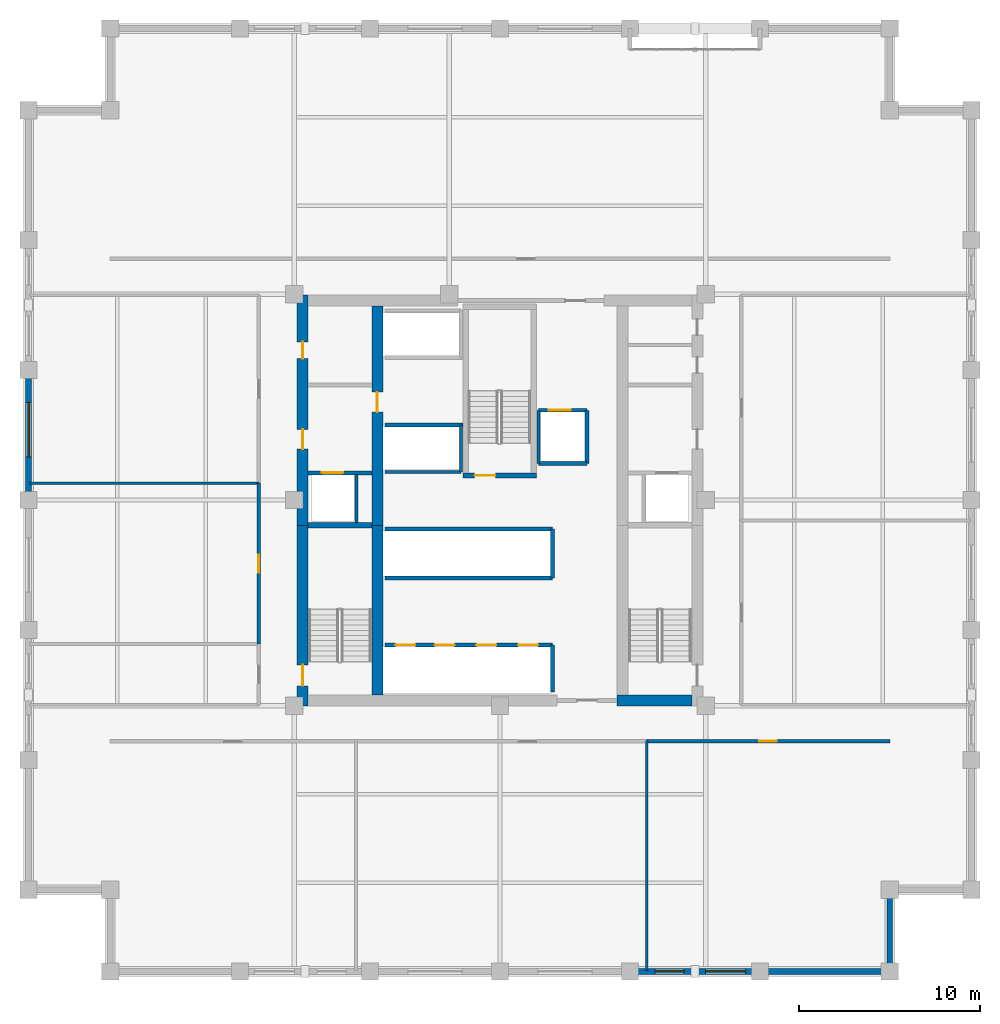
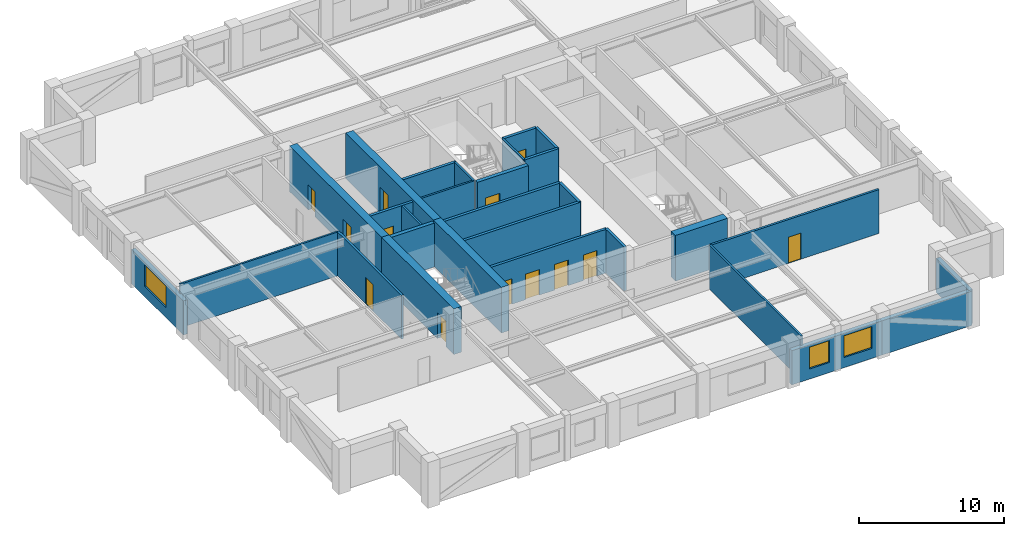
# One storey, part 4 of 8: 29 walls, 13 doors, 3 windows, 16 openings.
"""IFC4 building model written with IfcOpenShell, lengths in metres."""

from ifc_helpers import new_model, si_unit, direction, frame, frame_2d, origin, place, context, subcontext, project, spatial, rectangle, extrude, material, layer, layer_set, type_object, element, fill, save


model = new_model("IFC4")

# Units and contexts
model_context = context("Model", 3, precision=1e-05, world=origin(), true_north=direction((0.0, 1.0)))
body_context = subcontext(model_context, "Body", "Model", "MODEL_VIEW")
ifc_project = project(units=[si_unit("LENGTHUNIT", "METRE"), si_unit("AREAUNIT", "SQUARE_METRE"), si_unit("VOLUMEUNIT", "CUBIC_METRE"), si_unit("PLANEANGLEUNIT", "RADIAN"), si_unit("MASSUNIT", "GRAM", prefix="KILO")], contexts=[model_context])

# Site, building, storey
site_placement = place(None, origin())
site = spatial("IfcSite", under=ifc_project, at=site_placement, CompositionType="ELEMENT")
building_placement = place(site_placement, origin())
building = spatial("IfcBuilding", under=site, at=building_placement, Name="Nhamokura Convention Tower", CompositionType="ELEMENT")
storey_placement = place(building_placement, frame((0.0, 0.0, 137.550048828125)))
storey = spatial("IfcBuildingStorey", under=building, at=storey_placement, Name="L33", CompositionType="ELEMENT", Elevation=137.550048828125)

# Wall, openings, windows
ifc_material_1 = material(Name="Bronze-pigmented precast concrete C45/55", Category="concrete")
ifc_layer_1 = layer(ifc_material_1, 0.320068359375)
ifc_layer_set_1 = layer_set([ifc_layer_1], Name="BronzePrecastSpandrel_320")
wall_type_1 = type_object("IfcWallType", Name="BronzePrecastSpandrel_320", PredefinedType="USERDEFINED", material=ifc_layer_set_1)
wall_1_placement = place(storey_placement, frame((46.333251953125, 6.0, 0.0), z_axis=(0.0, 0.0, 1.0), x_axis=(-1.0, 0.0, 0.0)))
wall_1 = element("IfcWall", 1, at=wall_1_placement, inside=storey, type_object=wall_type_1, Name="L33 Masonry-Frame Wall SOUTH 4", ObjectType="SPANDREL_WALL", PredefinedType="USERDEFINED", context=body_context, shape_type="SweptSolid", body=[
    extrude(rectangle(XDim=7.16650390625, YDim=0.320068359375, at=frame_2d((3.583251953125, 0.0))), origin(), (0.0, 0.0, 1.0), 2.885009765625),
])
opening_1_placement = place(wall_1_placement, frame((0.791748046875, 0.0, 0.85009765625)))
opening_1 = element("IfcOpeningElement", 2, at=opening_1_placement, cuts=wall_1, Name="Opening W-06", PredefinedType="OPENING", context=body_context, shape_type="SweptSolid", body=[
    extrude(rectangle(XDim=2.199951171875, YDim=1.8349609375, at=frame_2d((1.10009765625, 0.91748046875))), frame((0.0, 0.169921875, 0.0), z_axis=(0.0, -1.0, 0.0), x_axis=(1.0, 0.0, 0.0)), (0.0, 0.0, 1.0), 0.340087890625),
])
opening_2_placement = place(wall_1_placement, frame((4.1748046875, 0.0, 0.85009765625)))
opening_2 = element("IfcOpeningElement", 3, at=opening_2_placement, cuts=wall_1, Name="Opening W-11", PredefinedType="OPENING", context=body_context, shape_type="SweptSolid", body=[
    extrude(rectangle(XDim=1.60009765625, YDim=1.8349609375, at=frame_2d((0.800048828125, 0.91748046875))), frame((0.0, 0.169921875, 0.0), z_axis=(0.0, -1.0, 0.0), x_axis=(1.0, 0.0, 0.0)), (0.0, 0.0, 1.0), 0.340087890625),
])
ifc_material_2 = material(Name="Solar-control bronze low-E double glass", Category="glass")
window_type_1 = type_object("IfcWindowType", Name="NotchCornerWindow_1600", PartitioningType="SINGLE_PANEL", PredefinedType="WINDOW", material=ifc_material_2)
window_1_placement = place(opening_2_placement, origin())
window_1 = element("IfcWindow", 4, at=window_1_placement, inside=storey, type_object=window_type_1, Name="L33 Facade Window SOUTH 4-2", OverallHeight=1.8349609375, OverallWidth=1.60009765625, PartitioningType="SINGLE_PANEL", PredefinedType="WINDOW", context=body_context, shape_type="SweptSolid", body=[
    extrude(rectangle(XDim=1.60009765625, YDim=1.8349609375, at=frame_2d((0.800048828125, 0.91748046875))), frame((0.0, 0.030029296875, 0.0), z_axis=(0.0, -1.0, 0.0), x_axis=(1.0, 0.0, 0.0)), (0.0, 0.0, 1.0), 0.06005859375),
])
fill(opening_2, window_1)
ifc_material_3 = material(Name="Solar-control bronze low-E double glass", Category="glass")
window_type_2 = type_object("IfcWindowType", Name="OfficeModuleWindow_Z2_2200", PartitioningType="SINGLE_PANEL", PredefinedType="WINDOW", material=ifc_material_3)
window_2_placement = place(opening_1_placement, origin())
window_2 = element("IfcWindow", 5, at=window_2_placement, inside=storey, type_object=window_type_2, Name="L33 Facade Window SOUTH 4-1", OverallHeight=1.8349609375, OverallWidth=2.199951171875, PartitioningType="SINGLE_PANEL", PredefinedType="WINDOW", context=body_context, shape_type="SweptSolid", body=[
    extrude(rectangle(XDim=2.199951171875, YDim=1.8349609375, at=frame_2d((1.10009765625, 0.91748046875))), frame((0.0, 0.030029296875, 0.0), z_axis=(0.0, -1.0, 0.0), x_axis=(1.0, 0.0, 0.0)), (0.0, 0.0, 1.0), 0.06005859375),
])
fill(opening_1, window_2)

# Wall
wall_2_placement = place(storey_placement, frame((53.5, 6.0, 0.0), z_axis=(0.0, 0.0, 1.0), x_axis=(-1.0, 0.0, 0.0)))
element("IfcWall", 6, at=wall_2_placement, inside=storey, type_object=wall_type_1, Name="L33 Braced-Bay Precast Wall SOUTH 5", ObjectType="SPANDREL_WALL", PredefinedType="USERDEFINED", context=body_context, shape_type="SweptSolid", body=[
    extrude(rectangle(XDim=7.166748046875, YDim=0.320068359375, at=frame_2d((3.58349609375, 0.0))), origin(), (0.0, 0.0, 1.0), 2.885009765625),
])

# Wall, opening, window
wall_3_placement = place(storey_placement, frame((6.0, 32.0, 0.0), z_axis=(0.0, 0.0, 1.0), x_axis=(0.0, 1.0, 0.0)))
wall_3 = element("IfcWall", 7, at=wall_3_placement, inside=storey, type_object=wall_type_1, Name="L33 Masonry-Frame Wall WEST 3", ObjectType="SPANDREL_WALL", PredefinedType="USERDEFINED", context=body_context, shape_type="SweptSolid", body=[
    extrude(rectangle(XDim=7.166748046875, YDim=0.320068359375, at=frame_2d((3.58349609375, 0.0))), origin(), (0.0, 0.0, 1.0), 2.885009765625),
])
opening_3_placement = place(wall_3_placement, frame((2.38330078125, 0.0, 0.85009765625)))
opening_3 = element("IfcOpeningElement", 8, at=opening_3_placement, cuts=wall_3, Name="Opening W-05", PredefinedType="OPENING", context=body_context, shape_type="SweptSolid", body=[
    extrude(rectangle(XDim=3.0, YDim=1.8349609375, at=frame_2d((1.5, 0.91748046875))), frame((0.0, 0.169921875, 0.0), z_axis=(0.0, -1.0, 0.0), x_axis=(1.0, 0.0, 0.0)), (0.0, 0.0, 1.0), 0.340087890625),
])
ifc_material_4 = material(Name="Solar-control bronze low-E double glass", Category="glass")
window_type_3 = type_object("IfcWindowType", Name="OfficeModuleWindow_Z2_3000", PartitioningType="DOUBLE_PANEL_VERTICAL", PredefinedType="WINDOW", material=ifc_material_4)
window_3_placement = place(opening_3_placement, origin())
window_3 = element("IfcWindow", 9, at=window_3_placement, inside=storey, type_object=window_type_3, Name="L33 Facade Window WEST 3", OverallHeight=1.8349609375, OverallWidth=3.0, PartitioningType="SINGLE_PANEL", PredefinedType="WINDOW", context=body_context, shape_type="SweptSolid", body=[
    extrude(rectangle(XDim=3.0, YDim=1.8349609375, at=frame_2d((1.5, 0.91748046875))), frame((0.0, 0.030029296875, 0.0), z_axis=(0.0, -1.0, 0.0), x_axis=(1.0, 0.0, 0.0)), (0.0, 0.0, 1.0), 0.06005859375),
])
fill(opening_3, window_3)

# Wall
wall_4_placement = place(storey_placement, frame((53.5, 10.5, 0.0), z_axis=(0.0, 0.0, 1.0), x_axis=(0.0, -1.0, 0.0)))
element("IfcWall", 10, at=wall_4_placement, inside=storey, type_object=wall_type_1, Name="L33 Notched Corner Wall SE1", ObjectType="SPANDREL_WALL", PredefinedType="USERDEFINED", context=body_context, shape_type="SweptSolid", body=[
    extrude(rectangle(XDim=4.5, YDim=0.320068359375, at=frame_2d((2.25, 0.0))), origin(), (0.0, 0.0, 1.0), 2.885009765625),
])

# Wall, opening, door
ifc_material_5 = material(Name="Concrete C60/75", Category="concrete")
ifc_layer_2 = layer(ifc_material_5, 0.60009765625)
ifc_layer_set_2 = layer_set([ifc_layer_2], Name="CoreShearWall_600")
wall_type_2 = type_object("IfcWallType", Name="CoreShearWall_600", PredefinedType="SHEAR", material=ifc_layer_set_2)
wall_5_placement = place(storey_placement, frame((21.110107421875, 20.64990234375, 0.0), z_axis=(0.0, 0.0, 1.0), x_axis=(0.0, 1.0, 0.0)))
wall_5 = element("IfcWall", 11, at=wall_5_placement, inside=storey, type_object=wall_type_2, Name="L33 Core Shear Wall CW-WS", PredefinedType="SHEAR", context=body_context, shape_type="SweptSolid", body=[
    extrude(rectangle(XDim=9.9501953125, YDim=0.60009765625, at=frame_2d((4.97509765625, 0.0))), origin(), (0.0, 0.0, 1.0), 3.849853515625),
])
opening_4_placement = place(wall_5_placement, frame((1.10009765625, 0.0, 0.0)))
opening_4 = element("IfcOpeningElement", 12, at=opening_4_placement, cuts=wall_5, Name="Opening D-04", PredefinedType="OPENING", context=body_context, shape_type="SweptSolid", body=[
    extrude(rectangle(XDim=1.14990234375, YDim=2.14990234375, at=frame_2d((0.574951171875, 1.074951171875))), frame((0.0, 0.31005859375, 0.0), z_axis=(0.0, -1.0, 0.0), x_axis=(1.0, 0.0, 0.0)), (0.0, 0.0, 1.0), 0.6201171875),
])
ifc_material_6 = material(Name="Fire-rated steel door", Category="steel")
door_type_1 = type_object("IfcDoorType", Name="StairSmokeDoor_1150", OperationType="NOTDEFINED", PredefinedType="DOOR", material=ifc_material_6)
door_1_placement = place(opening_4_placement, origin())
door_1 = element("IfcDoor", 13, at=door_1_placement, inside=storey, type_object=door_type_1, Name="L33 Core Door INT-L33-D-ST01", OperationType="SINGLE_SWING_LEFT", OverallHeight=2.14990234375, OverallWidth=1.14990234375, PredefinedType="DOOR", context=body_context, shape_type="SweptSolid", body=[
    extrude(rectangle(XDim=1.14990234375, YDim=2.14990234375, at=frame_2d((0.574951171875, 1.074951171875))), frame((0.0, 0.02490234375, 0.0), z_axis=(0.0, -1.0, 0.0), x_axis=(1.0, 0.0, 0.0)), (0.0, 0.0, 1.0), 0.050048828125),
])
fill(opening_4, door_1)

# Wall, openings, doors
wall_6_placement = place(storey_placement, frame((21.110107421875, 30.60009765625, 0.0), z_axis=(0.0, 0.0, 1.0), x_axis=(0.0, 1.0, 0.0)))
wall_6 = element("IfcWall", 14, at=wall_6_placement, inside=storey, type_object=wall_type_2, Name="L33 Core Shear Wall CW-WN", PredefinedType="SHEAR", context=body_context, shape_type="SweptSolid", body=[
    extrude(rectangle(XDim=12.699951171875, YDim=0.60009765625, at=frame_2d((6.35009765625, 0.0))), origin(), (0.0, 0.0, 1.0), 3.849853515625),
])
opening_5_placement = place(wall_6_placement, frame((4.199951171875, 0.0, 0.0)))
opening_5 = element("IfcOpeningElement", 15, at=opening_5_placement, cuts=wall_6, Name="Opening D-05", PredefinedType="OPENING", context=body_context, shape_type="SweptSolid", body=[
    extrude(rectangle(XDim=1.10009765625, YDim=2.14990234375, at=frame_2d((0.550048828125, 1.074951171875))), frame((0.0, 0.31005859375, 0.0), z_axis=(0.0, -1.0, 0.0), x_axis=(1.0, 0.0, 0.0)), (0.0, 0.0, 1.0), 0.6201171875),
])
opening_6_placement = place(wall_6_placement, frame((9.199951171875, 0.0, 0.0)))
opening_6 = element("IfcOpeningElement", 16, at=opening_6_placement, cuts=wall_6, Name="Opening D-10", PredefinedType="OPENING", context=body_context, shape_type="SweptSolid", body=[
    extrude(rectangle(XDim=0.919921875, YDim=2.10009765625, at=frame_2d((0.4599609375, 1.050048828125))), frame((0.0, 0.31005859375, 0.0), z_axis=(0.0, -1.0, 0.0), x_axis=(1.0, 0.0, 0.0)), (0.0, 0.0, 1.0), 0.6201171875),
])
ifc_material_7 = material(Name="Solid oak hardwood", Category="wood")
door_type_2 = type_object("IfcDoorType", Name="AccessibleWCDoor_920", OperationType="NOTDEFINED", PredefinedType="DOOR", material=ifc_material_7)
door_2_placement = place(opening_6_placement, origin())
door_2 = element("IfcDoor", 17, at=door_2_placement, inside=storey, type_object=door_type_2, Name="L33 Core Door INT-L33-D-AWC", OperationType="SINGLE_SWING_LEFT", OverallHeight=2.10009765625, OverallWidth=0.919921875, PredefinedType="DOOR", context=body_context, shape_type="SweptSolid", body=[
    extrude(rectangle(XDim=0.919921875, YDim=2.10009765625, at=frame_2d((0.4599609375, 1.050048828125))), frame((0.0, 0.02490234375, 0.0), z_axis=(0.0, -1.0, 0.0), x_axis=(1.0, 0.0, 0.0)), (0.0, 0.0, 1.0), 0.050048828125),
])
fill(opening_6, door_2)
ifc_material_8 = material(Name="Fire-rated steel door", Category="steel")
door_type_3 = type_object("IfcDoorType", Name="FireLobbyDoor_1100", OperationType="NOTDEFINED", PredefinedType="DOOR", material=ifc_material_8)
door_3_placement = place(opening_5_placement, origin())
door_3 = element("IfcDoor", 18, at=door_3_placement, inside=storey, type_object=door_type_3, Name="L33 Core Door INT-L33-D-FFLW", OperationType="SINGLE_SWING_RIGHT", OverallHeight=2.14990234375, OverallWidth=1.10009765625, PredefinedType="DOOR", context=body_context, shape_type="SweptSolid", body=[
    extrude(rectangle(XDim=1.10009765625, YDim=2.14990234375, at=frame_2d((0.550048828125, 1.074951171875))), frame((0.0, 0.02490234375, 0.0), z_axis=(0.0, -1.0, 0.0), x_axis=(1.0, 0.0, 0.0)), (0.0, 0.0, 1.0), 0.050048828125),
])
fill(opening_5, door_3)

# Walls
wall_7_placement = place(storey_placement, frame((38.449951171875, 20.949951171875, 0.0), z_axis=(0.0, 0.0, 1.0), x_axis=(1.0, 0.0, 0.0)))
element("IfcWall", 19, at=wall_7_placement, inside=storey, type_object=wall_type_2, Name="L33 Core Shear Wall CW-S2", PredefinedType="SHEAR", context=body_context, shape_type="SweptSolid", body=[
    extrude(rectangle(XDim=4.14013671875, YDim=0.60009765625, at=frame_2d((2.070068359375, 0.0))), origin(), (0.0, 0.0, 1.0), 3.849853515625),
])
wall_8_placement = place(storey_placement, frame((25.239990234375, 21.25, 0.0), z_axis=(0.0, 0.0, 1.0), x_axis=(0.0, 1.0, 0.0)))
element("IfcWall", 20, at=wall_8_placement, inside=storey, type_object=wall_type_2, Name="L33 Core Shear Wall CW-IWS", PredefinedType="SHEAR", context=body_context, shape_type="SweptSolid", body=[
    extrude(rectangle(XDim=9.35009765625, YDim=0.60009765625, at=frame_2d((4.675048828125, 0.0))), origin(), (0.0, 0.0, 1.0), 3.849853515625),
])

# Wall, opening, door
wall_9_placement = place(storey_placement, frame((25.239990234375, 30.60009765625, 0.0), z_axis=(0.0, 0.0, 1.0), x_axis=(0.0, 1.0, 0.0)))
wall_9 = element("IfcWall", 21, at=wall_9_placement, inside=storey, type_object=wall_type_2, Name="L33 Core Shear Wall CW-IWN", PredefinedType="SHEAR", context=body_context, shape_type="SweptSolid", body=[
    extrude(rectangle(XDim=12.099853515625, YDim=0.60009765625, at=frame_2d((6.0498046875, 0.0))), origin(), (0.0, 0.0, 1.0), 3.849853515625),
])
opening_7_placement = place(wall_9_placement, frame((6.25, 0.0, 0.0)))
opening_7 = element("IfcOpeningElement", 22, at=opening_7_placement, cuts=wall_9, Name="Opening D-05", PredefinedType="OPENING", context=body_context, shape_type="SweptSolid", body=[
    extrude(rectangle(XDim=1.10009765625, YDim=2.14990234375, at=frame_2d((0.550048828125, 1.074951171875))), frame((0.0, 0.31005859375, 0.0), z_axis=(0.0, -1.0, 0.0), x_axis=(1.0, 0.0, 0.0)), (0.0, 0.0, 1.0), 0.6201171875),
])
door_4_placement = place(opening_7_placement, origin())
door_4 = element("IfcDoor", 23, at=door_4_placement, inside=storey, type_object=door_type_3, Name="L33 Core Door INT-L33-D-B3LOB", OperationType="SINGLE_SWING_LEFT", OverallHeight=2.14990234375, OverallWidth=1.10009765625, PredefinedType="DOOR", context=body_context, shape_type="SweptSolid", body=[
    extrude(rectangle(XDim=1.10009765625, YDim=2.14990234375, at=frame_2d((0.550048828125, 1.074951171875))), frame((0.0, 0.02490234375, 0.0), z_axis=(0.0, -1.0, 0.0), x_axis=(1.0, 0.0, 0.0)), (0.0, 0.0, 1.0), 0.050048828125),
])
fill(opening_7, door_4)

ifc_material_9 = material(Name="Fire-rated gypsum and masonry partition", Category="masonry")
ifc_layer_3 = layer(ifc_material_9, 0.179931640625)
ifc_layer_set_3 = layer_set([ifc_layer_3], Name="CorridorRatedWall_180")
wall_type_3 = type_object("IfcWallType", Name="CorridorRatedWall_180", PredefinedType="STANDARD", material=ifc_layer_set_3)
wall_10_placement = place(storey_placement, frame((40.091796875, 18.699951171875, 0.0), z_axis=(0.0, 0.0, 1.0), x_axis=(1.0, 0.0, 0.0)))
wall_10 = element("IfcWall", 24, at=wall_10_placement, inside=storey, type_object=wall_type_3, Name="L33 Wall INT-L33-CW-S02", PredefinedType="STANDARD", context=body_context, shape_type="SweptSolid", body=[
    extrude(rectangle(XDim=13.408203125, YDim=0.179931640625, at=frame_2d((6.7041015625, 0.0))), origin(), (0.0, 0.0, 1.0), 3.68505859375),
])
opening_8_placement = place(wall_10_placement, frame((6.2041015625, 0.0, 0.0)))
opening_8 = element("IfcOpeningElement", 25, at=opening_8_placement, cuts=wall_10, Name="Opening D-08", PredefinedType="OPENING", context=body_context, shape_type="SweptSolid", body=[
    extrude(rectangle(XDim=0.97998046875, YDim=2.199951171875, at=frame_2d((0.489990234375, 1.10009765625))), frame((0.0, 0.099853515625, 0.0), z_axis=(0.0, -1.0, 0.0), x_axis=(1.0, 0.0, 0.0)), (0.0, 0.0, 1.0), 0.199951171875),
])
ifc_material_10 = material(Name="Solid oak hardwood", Category="wood")
door_type_4 = type_object("IfcDoorType", Name="OfficeEntryDoor_980", OperationType="NOTDEFINED", PredefinedType="DOOR", material=ifc_material_10)
door_5_placement = place(opening_8_placement, origin())
door_5 = element("IfcDoor", 26, at=door_5_placement, inside=storey, type_object=door_type_4, Name="L33 Faculty Office S03 Door", OperationType="SINGLE_SWING_LEFT", OverallHeight=2.199951171875, OverallWidth=0.97998046875, PredefinedType="DOOR", context=body_context, shape_type="SweptSolid", body=[
    extrude(rectangle(XDim=0.97998046875, YDim=2.199951171875, at=frame_2d((0.489990234375, 1.10009765625))), frame((0.0, 0.02490234375, 0.0), z_axis=(0.0, -1.0, 0.0), x_axis=(1.0, 0.0, 0.0)), (0.0, 0.0, 1.0), 0.050048828125),
])
fill(opening_8, door_5)

wall_11_placement = place(storey_placement, frame((18.699951171875, 24.058349609375, 0.0), z_axis=(0.0, 0.0, 1.0), x_axis=(0.0, 1.0, 0.0)))
wall_11 = element("IfcWall", 27, at=wall_11_placement, inside=storey, type_object=wall_type_3, Name="L33 Wall INT-L33-CW-W01", PredefinedType="STANDARD", context=body_context, shape_type="SweptSolid", body=[
    extrude(rectangle(XDim=8.86669921875, YDim=0.179931640625, at=frame_2d((4.433349609375, 0.0))), origin(), (0.0, 0.0, 1.0), 3.68505859375),
])
opening_9_placement = place(wall_11_placement, frame((3.933349609375, 0.0, 0.0)))
opening_9 = element("IfcOpeningElement", 28, at=opening_9_placement, cuts=wall_11, Name="Opening D-08", PredefinedType="OPENING", context=body_context, shape_type="SweptSolid", body=[
    extrude(rectangle(XDim=0.97998046875, YDim=2.199951171875, at=frame_2d((0.489990234375, 1.10009765625))), frame((0.0, 0.099853515625, 0.0), z_axis=(0.0, -1.0, 0.0), x_axis=(1.0, 0.0, 0.0)), (0.0, 0.0, 1.0), 0.199951171875),
])
door_6_placement = place(opening_9_placement, origin())
door_6 = element("IfcDoor", 29, at=door_6_placement, inside=storey, type_object=door_type_4, Name="L33 Meeting Room W02 Door", OperationType="SINGLE_SWING_RIGHT", OverallHeight=2.199951171875, OverallWidth=0.97998046875, PredefinedType="DOOR", context=body_context, shape_type="SweptSolid", body=[
    extrude(rectangle(XDim=0.97998046875, YDim=2.199951171875, at=frame_2d((0.489990234375, 1.10009765625))), frame((0.0, 0.02490234375, 0.0), z_axis=(0.0, -1.0, 0.0), x_axis=(1.0, 0.0, 0.0)), (0.0, 0.0, 1.0), 0.050048828125),
])
fill(opening_9, door_6)

ifc_material_11 = material(Name="Autoclaved concrete blockwork", Category="masonry")
ifc_layer_4 = layer(ifc_material_11, 0.219970703125)
ifc_layer_set_4 = layer_set([ifc_layer_4], Name="FireLobbyWall_220")
wall_type_4 = type_object("IfcWallType", Name="FireLobbyWall_220", PredefinedType="STANDARD", material=ifc_layer_set_4)
wall_12_placement = place(storey_placement, frame((21.409912109375, 33.5, 0.0), z_axis=(0.0, 0.0, 1.0), x_axis=(1.0, 0.0, 0.0)))
wall_12 = element("IfcWall", 30, at=wall_12_placement, inside=storey, type_object=wall_type_4, Name="L33 Wall INT-L33-FFW-S", PredefinedType="STANDARD", context=body_context, shape_type="SweptSolid", body=[
    extrude(rectangle(XDim=3.530029296875, YDim=0.219970703125, at=frame_2d((1.76513671875, 0.0))), origin(), (0.0, 0.0, 1.0), 3.68505859375),
])
opening_10_placement = place(wall_12_placement, frame((0.75, 0.0, 0.0)))
opening_10 = element("IfcOpeningElement", 31, at=opening_10_placement, cuts=wall_12, Name="Opening LD-02", PredefinedType="OPENING", context=body_context, shape_type="SweptSolid", body=[
    extrude(rectangle(XDim=1.199951171875, YDim=2.199951171875, at=frame_2d((0.60009765625, 1.10009765625))), frame((0.0, 0.119873046875, 0.0), z_axis=(0.0, -1.0, 0.0), x_axis=(1.0, 0.0, 0.0)), (0.0, 0.0, 1.0), 0.239990234375),
])
ifc_material_12 = material(Name="Anodised bronze stainless steel", Category="steel")
door_type_5 = type_object("IfcDoorType", Name="LiftLandingDoor_FireService", OperationType="DOUBLE_DOOR_SLIDING", PredefinedType="DOOR", material=ifc_material_12)
door_7_placement = place(opening_10_placement, origin())
door_7 = element("IfcDoor", 32, at=door_7_placement, inside=storey, type_object=door_type_5, Name="L33 Firefighting Lift LF-01 Door", OperationType="DOUBLE_DOOR_SLIDING", OverallHeight=2.199951171875, OverallWidth=1.199951171875, PredefinedType="DOOR", context=body_context, shape_type="SweptSolid", body=[
    extrude(rectangle(XDim=1.199951171875, YDim=2.199951171875, at=frame_2d((0.60009765625, 1.10009765625))), frame((0.0, 0.02490234375, 0.0), z_axis=(0.0, -1.0, 0.0), x_axis=(1.0, 0.0, 0.0)), (0.0, 0.0, 1.0), 0.050048828125),
])
fill(opening_10, door_7)

# Wall, openings, doors
wall_13_placement = place(storey_placement, frame((25.64990234375, 24.0, 0.0), z_axis=(0.0, 0.0, 1.0), x_axis=(1.0, 0.0, 0.0)))
wall_13 = element("IfcWall", 33, at=wall_13_placement, inside=storey, type_object=wall_type_4, Name="L33 Wall INT-L33-B1N", PredefinedType="STANDARD", context=body_context, shape_type="SweptSolid", body=[
    extrude(rectangle(XDim=9.25, YDim=0.219970703125, at=frame_2d((4.625, 0.0))), origin(), (0.0, 0.0, 1.0), 3.68505859375),
])
opening_11_placement = place(wall_13_placement, frame((0.580078125, 0.0, 0.0)))
opening_11 = element("IfcOpeningElement", 34, at=opening_11_placement, cuts=wall_13, Name="Opening LD-01", PredefinedType="OPENING", context=body_context, shape_type="SweptSolid", body=[
    extrude(rectangle(XDim=1.10009765625, YDim=2.14990234375, at=frame_2d((0.550048828125, 1.074951171875))), frame((0.0, 0.119873046875, 0.0), z_axis=(0.0, -1.0, 0.0), x_axis=(1.0, 0.0, 0.0)), (0.0, 0.0, 1.0), 0.239990234375),
])
opening_12_placement = place(wall_13_placement, frame((2.75, 0.0, 0.0)))
opening_12 = element("IfcOpeningElement", 35, at=opening_12_placement, cuts=wall_13, Name="Opening LD-01", PredefinedType="OPENING", context=body_context, shape_type="SweptSolid", body=[
    extrude(rectangle(XDim=1.10009765625, YDim=2.14990234375, at=frame_2d((0.550048828125, 1.074951171875))), frame((0.0, 0.119873046875, 0.0), z_axis=(0.0, -1.0, 0.0), x_axis=(1.0, 0.0, 0.0)), (0.0, 0.0, 1.0), 0.239990234375),
])
opening_13_placement = place(wall_13_placement, frame((5.050048828125, 0.0, 0.0)))
opening_13 = element("IfcOpeningElement", 36, at=opening_13_placement, cuts=wall_13, Name="Opening LD-01", PredefinedType="OPENING", context=body_context, shape_type="SweptSolid", body=[
    extrude(rectangle(XDim=1.10009765625, YDim=2.14990234375, at=frame_2d((0.550048828125, 1.074951171875))), frame((0.0, 0.119873046875, 0.0), z_axis=(0.0, -1.0, 0.0), x_axis=(1.0, 0.0, 0.0)), (0.0, 0.0, 1.0), 0.239990234375),
])
opening_14_placement = place(wall_13_placement, frame((7.35009765625, 0.0, 0.0)))
opening_14 = element("IfcOpeningElement", 37, at=opening_14_placement, cuts=wall_13, Name="Opening LD-01", PredefinedType="OPENING", context=body_context, shape_type="SweptSolid", body=[
    extrude(rectangle(XDim=1.10009765625, YDim=2.14990234375, at=frame_2d((0.550048828125, 1.074951171875))), frame((0.0, 0.119873046875, 0.0), z_axis=(0.0, -1.0, 0.0), x_axis=(1.0, 0.0, 0.0)), (0.0, 0.0, 1.0), 0.239990234375),
])
ifc_material_13 = material(Name="Anodised bronze stainless steel", Category="steel")
door_type_6 = type_object("IfcDoorType", Name="LiftLandingDoor_Passenger", OperationType="DOUBLE_DOOR_SLIDING", PredefinedType="DOOR", material=ifc_material_13)
door_8_placement = place(opening_11_placement, origin())
door_8 = element("IfcDoor", 38, at=door_8_placement, inside=storey, type_object=door_type_6, Name="L33 Lift LP-01 Landing Door", OperationType="DOUBLE_DOOR_SLIDING", OverallHeight=2.14990234375, OverallWidth=1.10009765625, PredefinedType="DOOR", context=body_context, shape_type="SweptSolid", body=[
    extrude(rectangle(XDim=1.10009765625, YDim=2.14990234375, at=frame_2d((0.550048828125, 1.074951171875))), frame((0.0, 0.02490234375, 0.0), z_axis=(0.0, -1.0, 0.0), x_axis=(1.0, 0.0, 0.0)), (0.0, 0.0, 1.0), 0.050048828125),
])
fill(opening_11, door_8)
door_9_placement = place(opening_12_placement, origin())
door_9 = element("IfcDoor", 39, at=door_9_placement, inside=storey, type_object=door_type_6, Name="L33 Lift LP-02 Landing Door", OperationType="DOUBLE_DOOR_SLIDING", OverallHeight=2.14990234375, OverallWidth=1.10009765625, PredefinedType="DOOR", context=body_context, shape_type="SweptSolid", body=[
    extrude(rectangle(XDim=1.10009765625, YDim=2.14990234375, at=frame_2d((0.550048828125, 1.074951171875))), frame((0.0, 0.02490234375, 0.0), z_axis=(0.0, -1.0, 0.0), x_axis=(1.0, 0.0, 0.0)), (0.0, 0.0, 1.0), 0.050048828125),
])
fill(opening_12, door_9)
door_10_placement = place(opening_13_placement, origin())
door_10 = element("IfcDoor", 40, at=door_10_placement, inside=storey, type_object=door_type_6, Name="L33 Lift LP-03 Landing Door", OperationType="DOUBLE_DOOR_SLIDING", OverallHeight=2.14990234375, OverallWidth=1.10009765625, PredefinedType="DOOR", context=body_context, shape_type="SweptSolid", body=[
    extrude(rectangle(XDim=1.10009765625, YDim=2.14990234375, at=frame_2d((0.550048828125, 1.074951171875))), frame((0.0, 0.02490234375, 0.0), z_axis=(0.0, -1.0, 0.0), x_axis=(1.0, 0.0, 0.0)), (0.0, 0.0, 1.0), 0.050048828125),
])
fill(opening_13, door_10)
door_11_placement = place(opening_14_placement, origin())
door_11 = element("IfcDoor", 41, at=door_11_placement, inside=storey, type_object=door_type_6, Name="L33 Lift LP-04 Landing Door", OperationType="DOUBLE_DOOR_SLIDING", OverallHeight=2.14990234375, OverallWidth=1.10009765625, PredefinedType="DOOR", context=body_context, shape_type="SweptSolid", body=[
    extrude(rectangle(XDim=1.10009765625, YDim=2.14990234375, at=frame_2d((0.550048828125, 1.074951171875))), frame((0.0, 0.02490234375, 0.0), z_axis=(0.0, -1.0, 0.0), x_axis=(1.0, 0.0, 0.0)), (0.0, 0.0, 1.0), 0.050048828125),
])
fill(opening_14, door_11)

# Walls
wall_14_placement = place(storey_placement, frame((34.89990234375, 21.39990234375, 0.0), z_axis=(0.0, 0.0, 1.0), x_axis=(0.0, 1.0, 0.0)))
element("IfcWall", 42, at=wall_14_placement, inside=storey, type_object=wall_type_4, Name="L33 Wall INT-L33-B1E", PredefinedType="STANDARD", context=body_context, shape_type="SweptSolid", body=[
    extrude(rectangle(XDim=2.60009765625, YDim=0.219970703125, at=frame_2d((1.300048828125, 0.0))), origin(), (0.0, 0.0, 1.0), 3.68505859375),
])
for number, where, z_axis, x_axis, name in (
    (43, (25.64990234375, 27.699951171875, 0.0), (0.0, 0.0, 1.0), (1.0, 0.0, 0.0), "L33 Wall INT-L33-B2S"),
    (44, (25.64990234375, 30.39990234375, 0.0), (0.0, 0.0, 1.0), (1.0, 0.0, 0.0), "L33 Wall INT-L33-B2N"),
):
    element("IfcWall", number, at=place(storey_placement, frame(where, z_axis=z_axis, x_axis=x_axis)), inside=storey, type_object=wall_type_4, Name=name, PredefinedType="STANDARD", context=body_context, shape_type="SweptSolid", body=[
        extrude(rectangle(XDim=9.25, YDim=0.219970703125, at=frame_2d((4.625, 0.0))), origin(), (0.0, 0.0, 1.0), 3.68505859375),
    ])
wall_15_placement = place(storey_placement, frame((34.89990234375, 27.699951171875, 0.0), z_axis=(0.0, 0.0, 1.0), x_axis=(0.0, 1.0, 0.0)))
element("IfcWall", 45, at=wall_15_placement, inside=storey, type_object=wall_type_4, Name="L33 Wall INT-L33-B2E", PredefinedType="STANDARD", context=body_context, shape_type="SweptSolid", body=[
    extrude(rectangle(XDim=2.699951171875, YDim=0.219970703125, at=frame_2d((1.35009765625, 0.0))), origin(), (0.0, 0.0, 1.0), 3.68505859375),
])
wall_16_placement = place(storey_placement, frame((25.64990234375, 36.14990234375, 0.0), z_axis=(0.0, 0.0, 1.0), x_axis=(1.0, 0.0, 0.0)))
element("IfcWall", 46, at=wall_16_placement, inside=storey, type_object=wall_type_4, Name="L33 Wall INT-L33-B3S", PredefinedType="STANDARD", context=body_context, shape_type="SweptSolid", body=[
    extrude(rectangle(XDim=4.300048828125, YDim=0.219970703125, at=frame_2d((2.14990234375, 0.0))), origin(), (0.0, 0.0, 1.0), 3.68505859375),
])

# Wall, opening, door
wall_17_placement = place(storey_placement, frame((34.1201171875, 36.949951171875, 0.0), z_axis=(0.0, 0.0, 1.0), x_axis=(1.0, 0.0, 0.0)))
wall_17 = element("IfcWall", 47, at=wall_17_placement, inside=storey, type_object=wall_type_4, Name="L33 Wall INT-L33-LSN", PredefinedType="STANDARD", context=body_context, shape_type="SweptSolid", body=[
    extrude(rectangle(XDim=2.679931640625, YDim=0.219970703125, at=frame_2d((1.33984375, 0.0))), origin(), (0.0, 0.0, 1.0), 3.68505859375),
])
opening_15_placement = place(wall_17_placement, frame((0.580078125, 0.0, 0.0)))
opening_15 = element("IfcOpeningElement", 48, at=opening_15_placement, cuts=wall_17, Name="Opening LD-02", PredefinedType="OPENING", context=body_context, shape_type="SweptSolid", body=[
    extrude(rectangle(XDim=1.199951171875, YDim=2.199951171875, at=frame_2d((0.60009765625, 1.10009765625))), frame((0.0, 0.119873046875, 0.0), z_axis=(0.0, -1.0, 0.0), x_axis=(1.0, 0.0, 0.0)), (0.0, 0.0, 1.0), 0.239990234375),
])
door_12_placement = place(opening_15_placement, origin())
door_12 = element("IfcDoor", 49, at=door_12_placement, inside=storey, type_object=door_type_5, Name="L33 Service Lift LS-01 Door", OperationType="DOUBLE_DOOR_SLIDING", OverallHeight=2.199951171875, OverallWidth=1.199951171875, PredefinedType="DOOR", context=body_context, shape_type="SweptSolid", body=[
    extrude(rectangle(XDim=1.199951171875, YDim=2.199951171875, at=frame_2d((0.60009765625, 1.10009765625))), frame((0.0, 0.02490234375, 0.0), z_axis=(0.0, -1.0, 0.0), x_axis=(1.0, 0.0, 0.0)), (0.0, 0.0, 1.0), 0.050048828125),
])
fill(opening_15, door_12)

# Walls
wall_18_placement = place(storey_placement, frame((36.800048828125, 34.02001953125, 0.0), z_axis=(0.0, 0.0, 1.0), x_axis=(0.0, 1.0, 0.0)))
element("IfcWall", 50, at=wall_18_placement, inside=storey, type_object=wall_type_4, Name="L33 Wall INT-L33-LSE", PredefinedType="STANDARD", context=body_context, shape_type="SweptSolid", body=[
    extrude(rectangle(XDim=2.929931640625, YDim=0.219970703125, at=frame_2d((1.46484375, 0.0))), origin(), (0.0, 0.0, 1.0), 3.68505859375),
])
wall_19_placement = place(storey_placement, frame((34.1201171875, 34.02001953125, 0.0), z_axis=(0.0, 0.0, 1.0), x_axis=(1.0, 0.0, 0.0)))
element("IfcWall", 51, at=wall_19_placement, inside=storey, type_object=wall_type_4, Name="L33 Wall INT-L33-LSS", PredefinedType="STANDARD", context=body_context, shape_type="SweptSolid", body=[
    extrude(rectangle(XDim=2.679931640625, YDim=0.219970703125, at=frame_2d((1.33984375, 0.0))), origin(), (0.0, 0.0, 1.0), 3.68505859375),
])
ifc_material_14 = material(Name="Acoustic gypsum stud partition", Category="masonry")
ifc_layer_5 = layer(ifc_material_14, 0.14990234375)
ifc_layer_set_5 = layer_set([ifc_layer_5], Name="InteriorPartition_150")
wall_type_5 = type_object("IfcWallType", Name="InteriorPartition_150", PredefinedType="STANDARD", material=ifc_layer_set_5)
wall_20_placement = place(storey_placement, frame((24.080078125, 30.75, 0.0), z_axis=(0.0, 0.0, 1.0), x_axis=(0.0, 1.0, 0.0)))
element("IfcWall", 52, at=wall_20_placement, inside=storey, type_object=wall_type_5, Name="L33 Wall INT-L33-FF1-E", PredefinedType="STANDARD", context=body_context, shape_type="SweptSolid", body=[
    extrude(rectangle(XDim=2.64990234375, YDim=0.14990234375, at=frame_2d((1.324951171875, 0.0))), origin(), (0.0, 0.0, 1.0), 3.68505859375),
])
wall_21_placement = place(storey_placement, frame((25.64990234375, 33.550048828125, 0.0), z_axis=(0.0, 0.0, 1.0), x_axis=(1.0, 0.0, 0.0)))
element("IfcWall", 53, at=wall_21_placement, inside=storey, type_object=wall_type_5, Name="L33 Wall INT-L33-B3A-S", PredefinedType="STANDARD", context=body_context, shape_type="SweptSolid", body=[
    extrude(rectangle(XDim=4.2001953125, YDim=0.14990234375, at=frame_2d((2.10009765625, 0.0))), origin(), (0.0, 0.0, 1.0), 3.68505859375),
])
wall_22_placement = place(storey_placement, frame((29.85009765625, 33.550048828125, 0.0), z_axis=(0.0, 0.0, 1.0), x_axis=(0.0, 1.0, 0.0)))
element("IfcWall", 54, at=wall_22_placement, inside=storey, type_object=wall_type_5, Name="L33 Wall INT-L33-B3A-E", PredefinedType="STANDARD", context=body_context, shape_type="SweptSolid", body=[
    extrude(rectangle(XDim=2.599853515625, YDim=0.14990234375, at=frame_2d((1.2998046875, 0.0))), origin(), (0.0, 0.0, 1.0), 3.68505859375),
])
wall_23_placement = place(storey_placement, frame((34.1201171875, 34.02001953125, 0.0), z_axis=(0.0, 0.0, 1.0), x_axis=(0.0, 1.0, 0.0)))
element("IfcWall", 55, at=wall_23_placement, inside=storey, type_object=wall_type_5, Name="L33 Wall INT-L33-LSW", PredefinedType="STANDARD", context=body_context, shape_type="SweptSolid", body=[
    extrude(rectangle(XDim=2.929931640625, YDim=0.14990234375, at=frame_2d((1.46484375, 0.0))), origin(), (0.0, 0.0, 1.0), 3.68505859375),
])
for number, where, z_axis, x_axis, name in (
    (56, (40.091796875, 6.06005859375, 0.0), (0.0, 0.0, 1.0), (0.0, 1.0, 0.0), "L33 Wall INT-L33-RW-S02"),
    (57, (6.06005859375, 32.925048828125, 0.0), (0.0, 0.0, 1.0), (1.0, 0.0, 0.0), "L33 Wall INT-L33-RW-W02"),
):
    element("IfcWall", number, at=place(storey_placement, frame(where, z_axis=z_axis, x_axis=x_axis)), inside=storey, type_object=wall_type_5, Name=name, PredefinedType="STANDARD", context=body_context, shape_type="SweptSolid", body=[
        extrude(rectangle(XDim=12.639892578125, YDim=0.14990234375, at=frame_2d((6.31982421875, 0.0))), origin(), (0.0, 0.0, 1.0), 3.68505859375),
    ])
ifc_material_15 = material(Name="Concrete C50/60", Category="concrete")
ifc_layer_6 = layer(ifc_material_15, 0.300048828125)
ifc_layer_set_6 = layer_set([ifc_layer_6], Name="ShaftEnclosureWall_300")
wall_type_6 = type_object("IfcWallType", Name="ShaftEnclosureWall_300", PredefinedType="SHEAR", material=ifc_layer_set_6)
wall_24_placement = place(storey_placement, frame((21.409912109375, 30.60009765625, 0.0), z_axis=(0.0, 0.0, 1.0), x_axis=(1.0, 0.0, 0.0)))
element("IfcWall", 58, at=wall_24_placement, inside=storey, type_object=wall_type_6, Name="L33 Wall INT-L33-ST01-N", PredefinedType="SHEAR", context=body_context, shape_type="SweptSolid", body=[
    extrude(rectangle(XDim=3.530029296875, YDim=0.300048828125, at=frame_2d((1.76513671875, 0.0))), origin(), (0.0, 0.0, 1.0), 3.68505859375),
])

# Wall, opening, door
wall_25_placement = place(storey_placement, frame((29.949951171875, 33.35009765625, 0.0), z_axis=(0.0, 0.0, 1.0), x_axis=(1.0, 0.0, 0.0)))
wall_25 = element("IfcWall", 59, at=wall_25_placement, inside=storey, type_object=wall_type_6, Name="L33 Wall INT-L33-ST03S", PredefinedType="SHEAR", context=body_context, shape_type="SweptSolid", body=[
    extrude(rectangle(XDim=4.050048828125, YDim=0.300048828125, at=frame_2d((2.02490234375, 0.0))), origin(), (0.0, 0.0, 1.0), 3.68505859375),
])
opening_16_placement = place(wall_25_placement, frame((0.64990234375, 0.0, 0.0)))
opening_16 = element("IfcOpeningElement", 60, at=opening_16_placement, cuts=wall_25, Name="Opening D-04", PredefinedType="OPENING", context=body_context, shape_type="SweptSolid", body=[
    extrude(rectangle(XDim=1.14990234375, YDim=2.14990234375, at=frame_2d((0.574951171875, 1.074951171875))), frame((0.0, 0.159912109375, 0.0), z_axis=(0.0, -1.0, 0.0), x_axis=(1.0, 0.0, 0.0)), (0.0, 0.0, 1.0), 0.320068359375),
])
door_13_placement = place(opening_16_placement, origin())
door_13 = element("IfcDoor", 61, at=door_13_placement, inside=storey, type_object=door_type_1, Name="L33 Stair ST-03 Smoke Door", OperationType="SINGLE_SWING_LEFT", OverallHeight=2.14990234375, OverallWidth=1.14990234375, PredefinedType="DOOR", context=body_context, shape_type="SweptSolid", body=[
    extrude(rectangle(XDim=1.14990234375, YDim=2.14990234375, at=frame_2d((0.574951171875, 1.074951171875))), frame((0.0, 0.02490234375, 0.0), z_axis=(0.0, -1.0, 0.0), x_axis=(1.0, 0.0, 0.0)), (0.0, 0.0, 1.0), 0.050048828125),
])
fill(opening_16, door_13)

save(model, "model.ifc")
